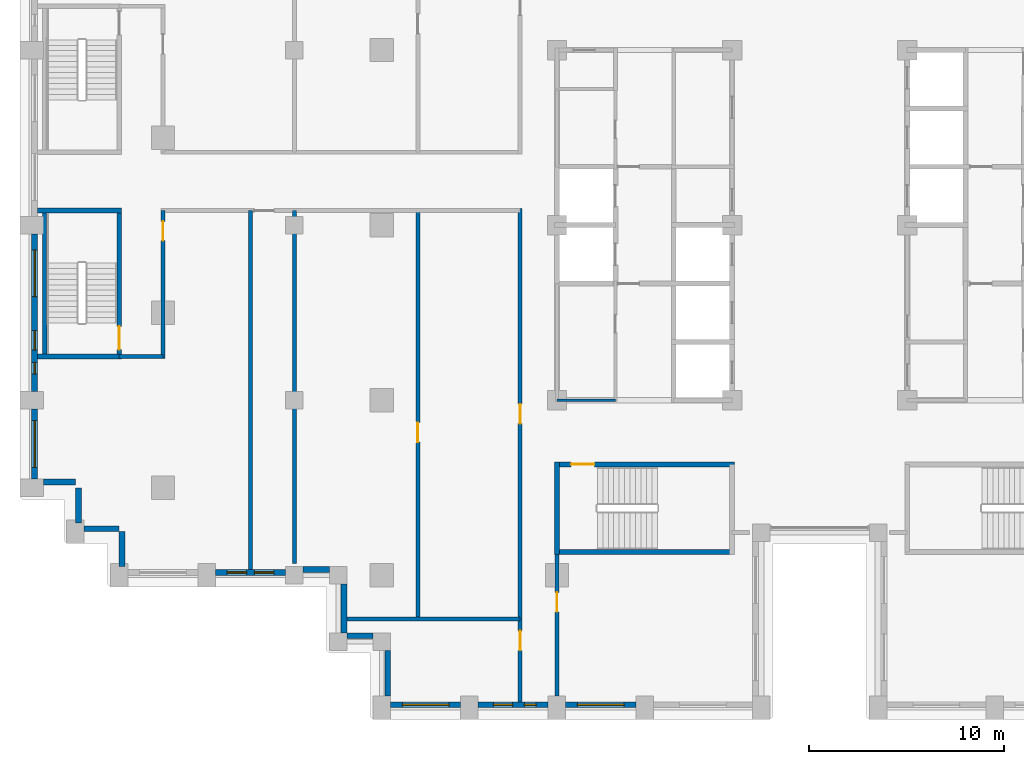
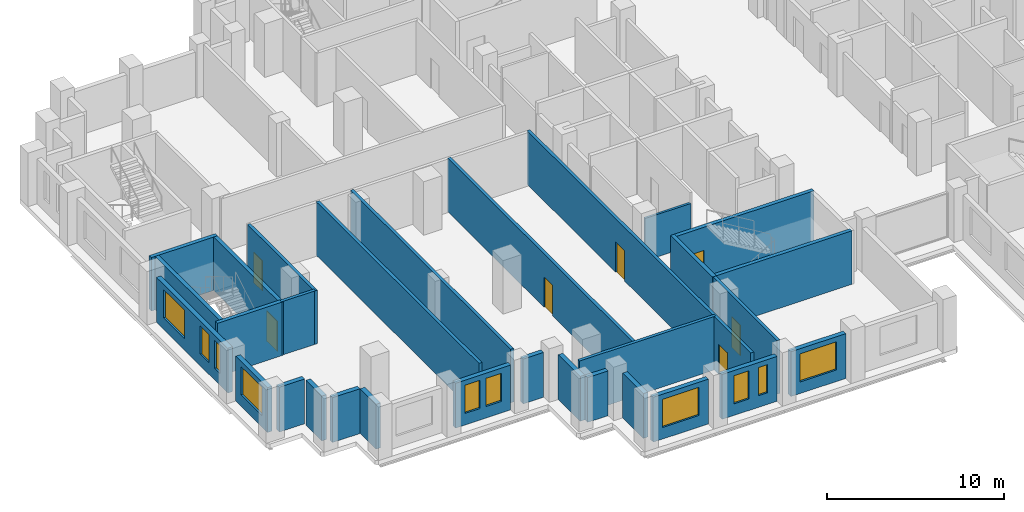
# One storey, part 6 of 16: 30 walls, 10 windows, 7 doors, 17 openings.
"""IFC4 building model written with IfcOpenShell, lengths in metres."""

from ifc_helpers import new_model, si_unit, direction, frame, frame_2d, origin, place, context, subcontext, project, spatial, rectangle, extrude, material, layer, layer_set, type_object, element, fill, save


model = new_model("IFC4")

# Units and contexts
model_context = context("Model", 3, precision=1e-05, world=origin(), true_north=direction((0.0, 1.0)))
body_context = subcontext(model_context, "Body", "Model", "MODEL_VIEW")
ifc_project = project(units=[si_unit("LENGTHUNIT", "METRE"), si_unit("AREAUNIT", "SQUARE_METRE"), si_unit("VOLUMEUNIT", "CUBIC_METRE"), si_unit("PLANEANGLEUNIT", "RADIAN"), si_unit("MASSUNIT", "GRAM", prefix="KILO")], contexts=[model_context])

# Site, building, storey
site_placement = place(None, origin())
site = spatial("IfcSite", under=ifc_project, at=site_placement, CompositionType="ELEMENT")
building_placement = place(site_placement, origin())
building = spatial("IfcBuilding", under=site, at=building_placement, Name="Corbelhall Arena Tower", CompositionType="ELEMENT")
storey_placement = place(building_placement, frame((0.0, 0.0, 104.0)))
storey = spatial("IfcBuildingStorey", under=building, at=storey_placement, Name="L18", CompositionType="ELEMENT", Elevation=104.0)

# Walls
ifc_material_1 = material(Name="Precast concrete C40/50 with granite facing", Category="masonry")
ifc_layer_1 = layer(ifc_material_1, 0.300048828125)
ifc_layer_set_1 = layer_set([ifc_layer_1], Name="EV-IW1 Infill panel 300")
wall_type_1 = type_object("IfcWallType", Name="EV-IW1 Infill panel 300", PredefinedType="SOLIDWALL", material=ifc_layer_set_1)
wall_1_placement = place(storey_placement, frame((-39.89990234375, -13.199951171875, 0.0), z_axis=(0.0, 0.0, 1.0), x_axis=(1.0, 0.0, 0.0)))
element("IfcWall", 1, at=wall_1_placement, inside=storey, type_object=wall_type_1, Name="Infill panel IW1", PredefinedType="SOLIDWALL", context=body_context, shape_type="SweptSolid", body=[
    extrude(rectangle(XDim=1.64990234375, YDim=0.300048828125, at=frame_2d((0.824951171875, 0.0))), origin(), (0.0, 0.0, 1.0), 3.10009765625),
])
for number, where, z_axis, x_axis, name in (
    (2, (-38.10009765625, -15.300048828125, 0.0), (0.0, 0.0, 1.0), (0.0, 1.0, 0.0), "Infill panel IW1"),
    (3, (-37.800048828125, -15.60009765625, 0.0), (0.0, 0.0, 1.0), (1.0, 0.0, 0.0), "Infill panel IW1"),
    (4, (-35.85009765625, -17.550048828125, 0.0), (0.0, 0.0, 1.0), (0.0, 1.0, 0.0), "Infill panel IW1"),
):
    element("IfcWall", number, at=place(storey_placement, frame(where, z_axis=z_axis, x_axis=x_axis)), inside=storey, type_object=wall_type_1, Name=name, PredefinedType="SOLIDWALL", context=body_context, shape_type="SweptSolid", body=[
        extrude(rectangle(XDim=1.800048828125, YDim=0.300048828125, at=frame_2d((0.89990234375, 0.0))), origin(), (0.0, 0.0, 1.0), 3.10009765625),
    ])

# Wall, openings, windows
wall_2_placement = place(storey_placement, frame((-40.35009765625, -0.449951171875, 0.0), z_axis=(0.0, 0.0, 1.0), x_axis=(0.0, -1.0, 0.0)))
wall_2 = element("IfcWall", 5, at=wall_2_placement, inside=storey, type_object=wall_type_1, Name="Infill panel IW1", PredefinedType="SOLIDWALL", context=body_context, shape_type="SweptSolid", body=[
    extrude(rectangle(XDim=8.10009765625, YDim=0.300048828125, at=frame_2d((4.050048828125, 0.0))), origin(), (0.0, 0.0, 1.0), 3.10009765625),
])
opening_1_placement = place(wall_2_placement, frame((0.824951171875, 0.0, 0.800048828125)))
opening_1 = element("IfcOpeningElement", 6, at=opening_1_placement, cuts=wall_2, Name="Opening WN1", PredefinedType="OPENING", context=body_context, shape_type="SweptSolid", body=[
    extrude(rectangle(XDim=2.39990234375, YDim=1.949951171875, at=frame_2d((1.199951171875, 0.97509765625))), frame((0.0, 0.14990234375, 0.0), z_axis=(0.0, -1.0, 0.0), x_axis=(1.0, 0.0, 0.0)), (0.0, 0.0, 1.0), 0.300048828125),
])
opening_2_placement = place(wall_2_placement, frame((4.97509765625, 0.0, 0.800048828125)))
opening_2 = element("IfcOpeningElement", 7, at=opening_2_placement, cuts=wall_2, Name="Opening WN6", PredefinedType="OPENING", context=body_context, shape_type="SweptSolid", body=[
    extrude(rectangle(XDim=1.0, YDim=1.949951171875, at=frame_2d((0.5, 0.97509765625))), frame((0.0, 0.14990234375, 0.0), z_axis=(0.0, -1.0, 0.0), x_axis=(1.0, 0.0, 0.0)), (0.0, 0.0, 1.0), 0.300048828125),
])
opening_3_placement = place(wall_2_placement, frame((6.60009765625, 0.0, 0.800048828125)))
opening_3 = element("IfcOpeningElement", 8, at=opening_3_placement, cuts=wall_2, Name="Opening WN5", PredefinedType="OPENING", context=body_context, shape_type="SweptSolid", body=[
    extrude(rectangle(XDim=0.60009765625, YDim=1.949951171875, at=frame_2d((0.300048828125, 0.97509765625))), frame((0.0, 0.14990234375, 0.0), z_axis=(0.0, -1.0, 0.0), x_axis=(1.0, 0.0, 0.0)), (0.0, 0.0, 1.0), 0.300048828125),
])
ifc_material_2 = material(Name="Aluminium black anodised", Category="aluminium")
window_type_1 = type_object("IfcWindowType", Name="EV-WN1 Office window", PartitioningType="SINGLE_PANEL", PredefinedType="WINDOW", material=ifc_material_2)
window_1_placement = place(opening_1_placement, origin())
window_1 = element("IfcWindow", 9, at=window_1_placement, inside=storey, type_object=window_type_1, Name="Window WN1", OverallHeight=1.949951171875, OverallWidth=2.39990234375, PartitioningType="SINGLE_PANEL", PredefinedType="WINDOW", context=body_context, shape_type="SweptSolid", body=[
    extrude(rectangle(XDim=2.39990234375, YDim=1.949951171875, at=frame_2d((1.199951171875, 0.97509765625))), frame((0.0, 0.030029296875, 0.0), z_axis=(0.0, -1.0, 0.0), x_axis=(1.0, 0.0, 0.0)), (0.0, 0.0, 1.0), 0.06005859375),
])
fill(opening_1, window_1)
window_type_2 = type_object("IfcWindowType", Name="EV-WN5 Office window 600", PartitioningType="SINGLE_PANEL", PredefinedType="WINDOW", material=ifc_material_2)
window_2_placement = place(opening_3_placement, origin())
window_2 = element("IfcWindow", 10, at=window_2_placement, inside=storey, type_object=window_type_2, Name="Window WN5", OverallHeight=1.949951171875, OverallWidth=0.60009765625, PartitioningType="SINGLE_PANEL", PredefinedType="WINDOW", context=body_context, shape_type="SweptSolid", body=[
    extrude(rectangle(XDim=0.60009765625, YDim=1.949951171875, at=frame_2d((0.300048828125, 0.97509765625))), frame((0.0, 0.030029296875, 0.0), z_axis=(0.0, -1.0, 0.0), x_axis=(1.0, 0.0, 0.0)), (0.0, 0.0, 1.0), 0.06005859375),
])
fill(opening_3, window_2)
window_type_3 = type_object("IfcWindowType", Name="EV-WN6 Office window 1000", PartitioningType="SINGLE_PANEL", PredefinedType="WINDOW", material=ifc_material_2)
window_3_placement = place(opening_2_placement, origin())
window_3 = element("IfcWindow", 11, at=window_3_placement, inside=storey, type_object=window_type_3, Name="Window WN6", OverallHeight=1.949951171875, OverallWidth=1.0, PartitioningType="SINGLE_PANEL", PredefinedType="WINDOW", context=body_context, shape_type="SweptSolid", body=[
    extrude(rectangle(XDim=1.0, YDim=1.949951171875, at=frame_2d((0.5, 0.97509765625))), frame((0.0, 0.030029296875, 0.0), z_axis=(0.0, -1.0, 0.0), x_axis=(1.0, 0.0, 0.0)), (0.0, 0.0, 1.0), 0.06005859375),
])
fill(opening_2, window_3)

# Wall, opening, window
wall_3_placement = place(storey_placement, frame((-40.35009765625, -9.449951171875, 0.0), z_axis=(0.0, 0.0, 1.0), x_axis=(0.0, -1.0, 0.0)))
wall_3 = element("IfcWall", 12, at=wall_3_placement, inside=storey, type_object=wall_type_1, Name="Infill panel IW1", PredefinedType="SOLIDWALL", context=body_context, shape_type="SweptSolid", body=[
    extrude(rectangle(XDim=3.60009765625, YDim=0.300048828125, at=frame_2d((1.800048828125, 0.0))), origin(), (0.0, 0.0, 1.0), 3.10009765625),
])
opening_4_placement = place(wall_3_placement, frame((0.60009765625, 0.0, 0.800048828125)))
opening_4 = element("IfcOpeningElement", 13, at=opening_4_placement, cuts=wall_3, Name="Opening WN1", PredefinedType="OPENING", context=body_context, shape_type="SweptSolid", body=[
    extrude(rectangle(XDim=2.39990234375, YDim=1.949951171875, at=frame_2d((1.199951171875, 0.97509765625))), frame((0.0, 0.14990234375, 0.0), z_axis=(0.0, -1.0, 0.0), x_axis=(1.0, 0.0, 0.0)), (0.0, 0.0, 1.0), 0.300048828125),
])
window_4_placement = place(opening_4_placement, origin())
window_4 = element("IfcWindow", 14, at=window_4_placement, inside=storey, type_object=window_type_1, Name="Window WN1", OverallHeight=1.949951171875, OverallWidth=2.39990234375, PartitioningType="SINGLE_PANEL", PredefinedType="WINDOW", context=body_context, shape_type="SweptSolid", body=[
    extrude(rectangle(XDim=2.39990234375, YDim=1.949951171875, at=frame_2d((1.199951171875, 0.97509765625))), frame((0.0, 0.030029296875, 0.0), z_axis=(0.0, -1.0, 0.0), x_axis=(1.0, 0.0, 0.0)), (0.0, 0.0, 1.0), 0.06005859375),
])
fill(opening_4, window_4)

# Wall, openings, windows
wall_4_placement = place(storey_placement, frame((-31.050048828125, -17.85009765625, 0.0), z_axis=(0.0, 0.0, 1.0), x_axis=(1.0, 0.0, 0.0)))
wall_4 = element("IfcWall", 15, at=wall_4_placement, inside=storey, type_object=wall_type_1, Name="Infill panel IW1", PredefinedType="SOLIDWALL", context=body_context, shape_type="SweptSolid", body=[
    extrude(rectangle(XDim=3.60009765625, YDim=0.300048828125, at=frame_2d((1.800048828125, 0.0))), origin(), (0.0, 0.0, 1.0), 3.10009765625),
])
opening_5_placement = place(wall_4_placement, frame((0.60009765625, 0.0, 0.800048828125)))
opening_5 = element("IfcOpeningElement", 16, at=opening_5_placement, cuts=wall_4, Name="Opening WN6", PredefinedType="OPENING", context=body_context, shape_type="SweptSolid", body=[
    extrude(rectangle(XDim=1.0, YDim=1.949951171875, at=frame_2d((0.5, 0.97509765625))), frame((0.0, 0.14990234375, 0.0), z_axis=(0.0, -1.0, 0.0), x_axis=(1.0, 0.0, 0.0)), (0.0, 0.0, 1.0), 0.300048828125),
])
opening_6_placement = place(wall_4_placement, frame((2.0, 0.0, 0.800048828125)))
opening_6 = element("IfcOpeningElement", 17, at=opening_6_placement, cuts=wall_4, Name="Opening WN6", PredefinedType="OPENING", context=body_context, shape_type="SweptSolid", body=[
    extrude(rectangle(XDim=1.0, YDim=1.949951171875, at=frame_2d((0.5, 0.97509765625))), frame((0.0, 0.14990234375, 0.0), z_axis=(0.0, -1.0, 0.0), x_axis=(1.0, 0.0, 0.0)), (0.0, 0.0, 1.0), 0.300048828125),
])
window_5_placement = place(opening_5_placement, origin())
window_5 = element("IfcWindow", 18, at=window_5_placement, inside=storey, type_object=window_type_3, Name="Window WN6", OverallHeight=1.949951171875, OverallWidth=1.0, PartitioningType="SINGLE_PANEL", PredefinedType="WINDOW", context=body_context, shape_type="SweptSolid", body=[
    extrude(rectangle(XDim=1.0, YDim=1.949951171875, at=frame_2d((0.5, 0.97509765625))), frame((0.0, 0.030029296875, 0.0), z_axis=(0.0, -1.0, 0.0), x_axis=(1.0, 0.0, 0.0)), (0.0, 0.0, 1.0), 0.06005859375),
])
fill(opening_5, window_5)
window_6_placement = place(opening_6_placement, origin())
window_6 = element("IfcWindow", 19, at=window_6_placement, inside=storey, type_object=window_type_3, Name="Window WN6", OverallHeight=1.949951171875, OverallWidth=1.0, PartitioningType="SINGLE_PANEL", PredefinedType="WINDOW", context=body_context, shape_type="SweptSolid", body=[
    extrude(rectangle(XDim=1.0, YDim=1.949951171875, at=frame_2d((0.5, 0.97509765625))), frame((0.0, 0.030029296875, 0.0), z_axis=(0.0, -1.0, 0.0), x_axis=(1.0, 0.0, 0.0)), (0.0, 0.0, 1.0), 0.06005859375),
])
fill(opening_6, window_6)

# Walls
wall_5_placement = place(storey_placement, frame((-26.550048828125, -17.699951171875, 0.0), z_axis=(0.0, 0.0, 1.0), x_axis=(1.0, 0.0, 0.0)))
element("IfcWall", 20, at=wall_5_placement, inside=storey, type_object=wall_type_1, Name="Infill panel IW1", PredefinedType="SOLIDWALL", context=body_context, shape_type="SweptSolid", body=[
    extrude(rectangle(XDim=1.35009765625, YDim=0.300048828125, at=frame_2d((0.675048828125, 0.0))), origin(), (0.0, 0.0, 1.0), 3.10009765625),
])
wall_6_placement = place(storey_placement, frame((-24.449951171875, -18.449951171875, 0.0), z_axis=(0.0, 0.0, 1.0), x_axis=(0.0, -1.0, 0.0)))
element("IfcWall", 21, at=wall_6_placement, inside=storey, type_object=wall_type_1, Name="Infill panel IW1", PredefinedType="SOLIDWALL", context=body_context, shape_type="SweptSolid", body=[
    extrude(rectangle(XDim=2.5, YDim=0.300048828125, at=frame_2d((1.25, 0.0))), origin(), (0.0, 0.0, 1.0), 3.10009765625),
])
wall_7_placement = place(storey_placement, frame((-24.300048828125, -21.10009765625, 0.0), z_axis=(0.0, 0.0, 1.0), x_axis=(1.0, 0.0, 0.0)))
element("IfcWall", 22, at=wall_7_placement, inside=storey, type_object=wall_type_1, Name="Infill panel IW1", PredefinedType="SOLIDWALL", context=body_context, shape_type="SweptSolid", body=[
    extrude(rectangle(XDim=1.35009765625, YDim=0.300048828125, at=frame_2d((0.675048828125, 0.0))), origin(), (0.0, 0.0, 1.0), 3.10009765625),
])
wall_8_placement = place(storey_placement, frame((-22.199951171875, -21.85009765625, 0.0), z_axis=(0.0, 0.0, 1.0), x_axis=(0.0, -1.0, 0.0)))
element("IfcWall", 23, at=wall_8_placement, inside=storey, type_object=wall_type_1, Name="Infill panel IW1", PredefinedType="SOLIDWALL", context=body_context, shape_type="SweptSolid", body=[
    extrude(rectangle(XDim=2.349853515625, YDim=0.300048828125, at=frame_2d((1.1748046875, 0.0))), origin(), (0.0, 0.0, 1.0), 3.10009765625),
])

# Wall, opening, window
wall_9_placement = place(storey_placement, frame((-22.050048828125, -24.64990234375, 0.0), z_axis=(0.0, 0.0, 1.0), x_axis=(1.0, 0.0, 0.0)))
wall_9 = element("IfcWall", 24, at=wall_9_placement, inside=storey, type_object=wall_type_1, Name="Infill panel IW1", PredefinedType="SOLIDWALL", context=body_context, shape_type="SweptSolid", body=[
    extrude(rectangle(XDim=3.60009765625, YDim=0.300048828125, at=frame_2d((1.800048828125, 0.0))), origin(), (0.0, 0.0, 1.0), 3.10009765625),
])
opening_7_placement = place(wall_9_placement, frame((0.60009765625, 0.0, 0.800048828125)))
opening_7 = element("IfcOpeningElement", 25, at=opening_7_placement, cuts=wall_9, Name="Opening WN1", PredefinedType="OPENING", context=body_context, shape_type="SweptSolid", body=[
    extrude(rectangle(XDim=2.39990234375, YDim=1.949951171875, at=frame_2d((1.199951171875, 0.97509765625))), frame((0.0, 0.14990234375, 0.0), z_axis=(0.0, -1.0, 0.0), x_axis=(1.0, 0.0, 0.0)), (0.0, 0.0, 1.0), 0.300048828125),
])
window_7_placement = place(opening_7_placement, origin())
window_7 = element("IfcWindow", 26, at=window_7_placement, inside=storey, type_object=window_type_1, Name="Window WN1", OverallHeight=1.949951171875, OverallWidth=2.39990234375, PartitioningType="SINGLE_PANEL", PredefinedType="WINDOW", context=body_context, shape_type="SweptSolid", body=[
    extrude(rectangle(XDim=2.39990234375, YDim=1.949951171875, at=frame_2d((1.199951171875, 0.97509765625))), frame((0.0, 0.030029296875, 0.0), z_axis=(0.0, -1.0, 0.0), x_axis=(1.0, 0.0, 0.0)), (0.0, 0.0, 1.0), 0.06005859375),
])
fill(opening_7, window_7)

# Wall, openings, windows
wall_10_placement = place(storey_placement, frame((-17.550048828125, -24.64990234375, 0.0), z_axis=(0.0, 0.0, 1.0), x_axis=(1.0, 0.0, 0.0)))
wall_10 = element("IfcWall", 27, at=wall_10_placement, inside=storey, type_object=wall_type_1, Name="Infill panel IW1", PredefinedType="SOLIDWALL", context=body_context, shape_type="SweptSolid", body=[
    extrude(rectangle(XDim=3.60009765625, YDim=0.300048828125, at=frame_2d((1.800048828125, 0.0))), origin(), (0.0, 0.0, 1.0), 3.10009765625),
])
opening_8_placement = place(wall_10_placement, frame((0.77490234375, 0.0, 0.800048828125)))
opening_8 = element("IfcOpeningElement", 28, at=opening_8_placement, cuts=wall_10, Name="Opening WN6", PredefinedType="OPENING", context=body_context, shape_type="SweptSolid", body=[
    extrude(rectangle(XDim=1.0, YDim=1.949951171875, at=frame_2d((0.5, 0.97509765625))), frame((0.0, 0.14990234375, 0.0), z_axis=(0.0, -1.0, 0.0), x_axis=(1.0, 0.0, 0.0)), (0.0, 0.0, 1.0), 0.300048828125),
])
opening_9_placement = place(wall_10_placement, frame((2.375, 0.0, 0.800048828125)))
opening_9 = element("IfcOpeningElement", 29, at=opening_9_placement, cuts=wall_10, Name="Opening WN5", PredefinedType="OPENING", context=body_context, shape_type="SweptSolid", body=[
    extrude(rectangle(XDim=0.60009765625, YDim=1.949951171875, at=frame_2d((0.300048828125, 0.97509765625))), frame((0.0, 0.14990234375, 0.0), z_axis=(0.0, -1.0, 0.0), x_axis=(1.0, 0.0, 0.0)), (0.0, 0.0, 1.0), 0.300048828125),
])
window_8_placement = place(opening_9_placement, origin())
window_8 = element("IfcWindow", 30, at=window_8_placement, inside=storey, type_object=window_type_2, Name="Window WN5", OverallHeight=1.949951171875, OverallWidth=0.60009765625, PartitioningType="SINGLE_PANEL", PredefinedType="WINDOW", context=body_context, shape_type="SweptSolid", body=[
    extrude(rectangle(XDim=0.60009765625, YDim=1.949951171875, at=frame_2d((0.300048828125, 0.97509765625))), frame((0.0, 0.030029296875, 0.0), z_axis=(0.0, -1.0, 0.0), x_axis=(1.0, 0.0, 0.0)), (0.0, 0.0, 1.0), 0.06005859375),
])
fill(opening_9, window_8)
window_9_placement = place(opening_8_placement, origin())
window_9 = element("IfcWindow", 31, at=window_9_placement, inside=storey, type_object=window_type_3, Name="Window WN6", OverallHeight=1.949951171875, OverallWidth=1.0, PartitioningType="SINGLE_PANEL", PredefinedType="WINDOW", context=body_context, shape_type="SweptSolid", body=[
    extrude(rectangle(XDim=1.0, YDim=1.949951171875, at=frame_2d((0.5, 0.97509765625))), frame((0.0, 0.030029296875, 0.0), z_axis=(0.0, -1.0, 0.0), x_axis=(1.0, 0.0, 0.0)), (0.0, 0.0, 1.0), 0.06005859375),
])
fill(opening_8, window_9)

# Wall, opening, window
wall_11_placement = place(storey_placement, frame((-13.050048828125, -24.64990234375, 0.0), z_axis=(0.0, 0.0, 1.0), x_axis=(1.0, 0.0, 0.0)))
wall_11 = element("IfcWall", 32, at=wall_11_placement, inside=storey, type_object=wall_type_1, Name="Infill panel IW1", PredefinedType="SOLIDWALL", context=body_context, shape_type="SweptSolid", body=[
    extrude(rectangle(XDim=3.60009765625, YDim=0.300048828125, at=frame_2d((1.800048828125, 0.0))), origin(), (0.0, 0.0, 1.0), 3.10009765625),
])
opening_10_placement = place(wall_11_placement, frame((0.60009765625, 0.0, 0.800048828125)))
opening_10 = element("IfcOpeningElement", 33, at=opening_10_placement, cuts=wall_11, Name="Opening WN1", PredefinedType="OPENING", context=body_context, shape_type="SweptSolid", body=[
    extrude(rectangle(XDim=2.39990234375, YDim=1.949951171875, at=frame_2d((1.199951171875, 0.97509765625))), frame((0.0, 0.14990234375, 0.0), z_axis=(0.0, -1.0, 0.0), x_axis=(1.0, 0.0, 0.0)), (0.0, 0.0, 1.0), 0.300048828125),
])
window_10_placement = place(opening_10_placement, origin())
window_10 = element("IfcWindow", 34, at=window_10_placement, inside=storey, type_object=window_type_1, Name="Window WN1", OverallHeight=1.949951171875, OverallWidth=2.39990234375, PartitioningType="SINGLE_PANEL", PredefinedType="WINDOW", context=body_context, shape_type="SweptSolid", body=[
    extrude(rectangle(XDim=2.39990234375, YDim=1.949951171875, at=frame_2d((1.199951171875, 0.97509765625))), frame((0.0, 0.030029296875, 0.0), z_axis=(0.0, -1.0, 0.0), x_axis=(1.0, 0.0, 0.0)), (0.0, 0.0, 1.0), 0.06005859375),
])
fill(opening_10, window_10)

# Wall
ifc_material_3 = material(Name="Gypsum board on steel stud, acoustic", Category="steel")
ifc_layer_2 = layer(ifc_material_3, 0.199951171875)
ifc_layer_set_2 = layer_set([ifc_layer_2], Name="IN-W-DM200")
wall_type_2 = type_object("IfcWallType", Name="IN-W-DM200", PredefinedType="PARTITIONING", material=ifc_layer_set_2)
wall_12_placement = place(storey_placement, frame((-33.75, -6.75, 0.0), z_axis=(0.0, 0.0, 1.0), x_axis=(-1.0, 0.0, 0.0)))
element("IfcWall", 35, at=wall_12_placement, inside=storey, type_object=wall_type_2, Name="Partition 003", PredefinedType="PARTITIONING", context=body_context, shape_type="SweptSolid", body=[
    extrude(rectangle(XDim=2.25, YDim=0.199951171875, at=frame_2d((1.125, 0.0))), origin(), (0.0, 0.0, 1.0), 3.699951171875),
])

# Wall, opening, door
wall_13_placement = place(storey_placement, frame((-33.75, 0.75, 0.0), z_axis=(0.0, 0.0, 1.0), x_axis=(0.0, -1.0, 0.0)))
wall_13 = element("IfcWall", 36, at=wall_13_placement, inside=storey, type_object=wall_type_2, Name="Partition 004", PredefinedType="PARTITIONING", context=body_context, shape_type="SweptSolid", body=[
    extrude(rectangle(XDim=7.60009765625, YDim=0.199951171875, at=frame_2d((3.800048828125, 0.0))), origin(), (0.0, 0.0, 1.0), 3.699951171875),
])
opening_11_placement = place(wall_13_placement, frame((0.550048828125, 0.0, 0.0)))
opening_11 = element("IfcOpeningElement", 37, at=opening_11_placement, cuts=wall_13, Name="Opening 04040", PredefinedType="OPENING", context=body_context, shape_type="SweptSolid", body=[
    extrude(rectangle(XDim=1.0, YDim=2.10009765625, at=frame_2d((0.5, 1.050048828125))), frame((0.0, 0.10009765625, 0.0), z_axis=(0.0, -1.0, 0.0), x_axis=(1.0, 0.0, 0.0)), (0.0, 0.0, 1.0), 0.199951171875),
])
ifc_material_4 = material(Name="Steel door set", Category="steel")
door_type_1 = type_object("IfcDoorType", Name="IN-D-SW100", OperationType="NOTDEFINED", PredefinedType="DOOR", material=ifc_material_4)
door_1_placement = place(opening_11_placement, origin())
door_1 = element("IfcDoor", 38, at=door_1_placement, inside=storey, type_object=door_type_1, Name="Door 040", OperationType="SINGLE_SWING_LEFT", OverallHeight=2.10009765625, OverallWidth=1.0, PredefinedType="DOOR", context=body_context, shape_type="SweptSolid", body=[
    extrude(rectangle(XDim=1.0, YDim=2.10009765625, at=frame_2d((0.5, 1.050048828125))), frame((0.0, 0.02490234375, 0.0), z_axis=(0.0, -1.0, 0.0), x_axis=(1.0, 0.0, 0.0)), (0.0, 0.0, 1.0), 0.050048828125),
])
fill(opening_11, door_1)

# Walls
wall_14_placement = place(storey_placement, frame((-29.25, 0.75, 0.0), z_axis=(0.0, 0.0, 1.0), x_axis=(0.0, -1.0, 0.0)))
element("IfcWall", 39, at=wall_14_placement, inside=storey, type_object=wall_type_2, Name="Partition 006", PredefinedType="PARTITIONING", context=body_context, shape_type="SweptSolid", body=[
    extrude(rectangle(XDim=18.449951171875, YDim=0.199951171875, at=frame_2d((9.22509765625, 0.0))), origin(), (0.0, 0.0, 1.0), 3.699951171875),
])
wall_15_placement = place(storey_placement, frame((-27.0, -17.39990234375, 0.0), z_axis=(0.0, 0.0, 1.0), x_axis=(0.0, 1.0, 0.0)))
element("IfcWall", 40, at=wall_15_placement, inside=storey, type_object=wall_type_2, Name="Partition 008", PredefinedType="PARTITIONING", context=body_context, shape_type="SweptSolid", body=[
    extrude(rectangle(XDim=18.14990234375, YDim=0.199951171875, at=frame_2d((9.074951171875, 0.0))), origin(), (0.0, 0.0, 1.0), 3.699951171875),
])
wall_16_placement = place(storey_placement, frame((-24.300048828125, -20.25, 0.0), z_axis=(0.0, 0.0, 1.0), x_axis=(1.0, 0.0, 0.0)))
element("IfcWall", 41, at=wall_16_placement, inside=storey, type_object=wall_type_2, Name="Partition 010", PredefinedType="PARTITIONING", context=body_context, shape_type="SweptSolid", body=[
    extrude(rectangle(XDim=8.900146484375, YDim=0.199951171875, at=frame_2d((4.4501953125, 0.0))), origin(), (0.0, 0.0, 1.0), 3.699951171875),
])

# Wall, opening, door
wall_17_placement = place(storey_placement, frame((-20.64990234375, -20.25, 0.0), z_axis=(0.0, 0.0, 1.0), x_axis=(0.0, 1.0, 0.0)))
wall_17 = element("IfcWall", 42, at=wall_17_placement, inside=storey, type_object=wall_type_2, Name="Partition 012", PredefinedType="PARTITIONING", context=body_context, shape_type="SweptSolid", body=[
    extrude(rectangle(XDim=21.0, YDim=0.199951171875, at=frame_2d((10.5, 0.0))), origin(), (0.0, 0.0, 1.0), 3.699951171875),
])
opening_12_placement = place(wall_17_placement, frame((9.10009765625, 0.0, 0.0)))
opening_12 = element("IfcOpeningElement", 43, at=opening_12_placement, cuts=wall_17, Name="Opening 04031", PredefinedType="OPENING", context=body_context, shape_type="SweptSolid", body=[
    extrude(rectangle(XDim=1.0, YDim=2.10009765625, at=frame_2d((0.5, 1.050048828125))), frame((0.0, 0.10009765625, 0.0), z_axis=(0.0, -1.0, 0.0), x_axis=(1.0, 0.0, 0.0)), (0.0, 0.0, 1.0), 0.199951171875),
])
door_2_placement = place(opening_12_placement, origin())
door_2 = element("IfcDoor", 44, at=door_2_placement, inside=storey, type_object=door_type_1, Name="Door 031", OperationType="SINGLE_SWING_RIGHT", OverallHeight=2.10009765625, OverallWidth=1.0, PredefinedType="DOOR", context=body_context, shape_type="SweptSolid", body=[
    extrude(rectangle(XDim=1.0, YDim=2.10009765625, at=frame_2d((0.5, 1.050048828125))), frame((0.0, 0.02490234375, 0.0), z_axis=(0.0, -1.0, 0.0), x_axis=(1.0, 0.0, 0.0)), (0.0, 0.0, 1.0), 0.050048828125),
])
fill(opening_12, door_2)

# Wall, openings, doors
wall_18_placement = place(storey_placement, frame((-15.39990234375, -24.5, 0.0), z_axis=(0.0, 0.0, 1.0), x_axis=(0.0, 1.0, 0.0)))
wall_18 = element("IfcWall", 45, at=wall_18_placement, inside=storey, type_object=wall_type_2, Name="Partition 015", PredefinedType="PARTITIONING", context=body_context, shape_type="SweptSolid", body=[
    extrude(rectangle(XDim=25.35009765625, YDim=0.199951171875, at=frame_2d((12.675048828125, 0.0))), origin(), (0.0, 0.0, 1.0), 3.699951171875),
])
opening_13_placement = place(wall_18_placement, frame((2.64990234375, 0.0, 0.0)))
opening_13 = element("IfcOpeningElement", 46, at=opening_13_placement, cuts=wall_18, Name="Opening 04029", PredefinedType="OPENING", context=body_context, shape_type="SweptSolid", body=[
    extrude(rectangle(XDim=1.0, YDim=2.10009765625, at=frame_2d((0.5, 1.050048828125))), frame((0.0, 0.10009765625, 0.0), z_axis=(0.0, -1.0, 0.0), x_axis=(1.0, 0.0, 0.0)), (0.0, 0.0, 1.0), 0.199951171875),
])
opening_14_placement = place(wall_18_placement, frame((14.300048828125, 0.0, 0.0)))
opening_14 = element("IfcOpeningElement", 47, at=opening_14_placement, cuts=wall_18, Name="Opening 04030", PredefinedType="OPENING", context=body_context, shape_type="SweptSolid", body=[
    extrude(rectangle(XDim=1.0, YDim=2.10009765625, at=frame_2d((0.5, 1.050048828125))), frame((0.0, 0.10009765625, 0.0), z_axis=(0.0, -1.0, 0.0), x_axis=(1.0, 0.0, 0.0)), (0.0, 0.0, 1.0), 0.199951171875),
])
door_3_placement = place(opening_13_placement, origin())
door_3 = element("IfcDoor", 48, at=door_3_placement, inside=storey, type_object=door_type_1, Name="Door 029", OperationType="SINGLE_SWING_RIGHT", OverallHeight=2.10009765625, OverallWidth=1.0, PredefinedType="DOOR", context=body_context, shape_type="SweptSolid", body=[
    extrude(rectangle(XDim=1.0, YDim=2.10009765625, at=frame_2d((0.5, 1.050048828125))), frame((0.0, 0.02490234375, 0.0), z_axis=(0.0, -1.0, 0.0), x_axis=(1.0, 0.0, 0.0)), (0.0, 0.0, 1.0), 0.050048828125),
])
fill(opening_13, door_3)
door_4_placement = place(opening_14_placement, origin())
door_4 = element("IfcDoor", 49, at=door_4_placement, inside=storey, type_object=door_type_1, Name="Door 030", OperationType="SINGLE_SWING_LEFT", OverallHeight=2.10009765625, OverallWidth=1.0, PredefinedType="DOOR", context=body_context, shape_type="SweptSolid", body=[
    extrude(rectangle(XDim=1.0, YDim=2.10009765625, at=frame_2d((0.5, 1.050048828125))), frame((0.0, 0.02490234375, 0.0), z_axis=(0.0, -1.0, 0.0), x_axis=(1.0, 0.0, 0.0)), (0.0, 0.0, 1.0), 0.050048828125),
])
fill(opening_14, door_4)

# Wall, opening, door
wall_19_placement = place(storey_placement, frame((-13.5, -16.675048828125, 0.0), z_axis=(0.0, 0.0, 1.0), x_axis=(0.0, -1.0, 0.0)))
wall_19 = element("IfcWall", 50, at=wall_19_placement, inside=storey, type_object=wall_type_2, Name="Partition 018", PredefinedType="PARTITIONING", context=body_context, shape_type="SweptSolid", body=[
    extrude(rectangle(XDim=7.52490234375, YDim=0.199951171875, at=frame_2d((3.762451171875, 0.0))), origin(), (0.0, 0.0, 1.0), 3.699951171875),
])
opening_15_placement = place(wall_19_placement, frame((2.199951171875, 0.0, 0.0)))
opening_15 = element("IfcOpeningElement", 51, at=opening_15_placement, cuts=wall_19, Name="Opening 04025", PredefinedType="OPENING", context=body_context, shape_type="SweptSolid", body=[
    extrude(rectangle(XDim=1.0, YDim=2.10009765625, at=frame_2d((0.5, 1.050048828125))), frame((0.0, 0.10009765625, 0.0), z_axis=(0.0, -1.0, 0.0), x_axis=(1.0, 0.0, 0.0)), (0.0, 0.0, 1.0), 0.199951171875),
])
door_5_placement = place(opening_15_placement, origin())
door_5 = element("IfcDoor", 52, at=door_5_placement, inside=storey, type_object=door_type_1, Name="Door 025", OperationType="SINGLE_SWING_RIGHT", OverallHeight=2.10009765625, OverallWidth=1.0, PredefinedType="DOOR", context=body_context, shape_type="SweptSolid", body=[
    extrude(rectangle(XDim=1.0, YDim=2.10009765625, at=frame_2d((0.5, 1.050048828125))), frame((0.0, 0.02490234375, 0.0), z_axis=(0.0, -1.0, 0.0), x_axis=(1.0, 0.0, 0.0)), (0.0, 0.0, 1.0), 0.050048828125),
])
fill(opening_15, door_5)

# Wall
ifc_material_5 = material(Name="Concrete C40/50", Category="concrete")
ifc_layer_3 = layer(ifc_material_5, 0.25)
ifc_layer_set_3 = layer_set([ifc_layer_3], Name="IN-W-ST250")
wall_type_3 = type_object("IfcWallType", Name="IN-W-ST250", PredefinedType="SOLIDWALL", material=ifc_layer_set_3)
wall_20_placement = place(storey_placement, frame((-36.0, -6.75, 0.0), z_axis=(0.0, 0.0, 1.0), x_axis=(-1.0, 0.0, 0.0)))
element("IfcWall", 53, at=wall_20_placement, inside=storey, type_object=wall_type_3, Name="Shaft wall 083", PredefinedType="SOLIDWALL", context=body_context, shape_type="SweptSolid", body=[
    extrude(rectangle(XDim=4.199951171875, YDim=0.25, at=frame_2d((2.10009765625, 0.0))), origin(), (0.0, 0.0, 1.0), 3.699951171875),
])

# Wall, opening, door
wall_21_placement = place(storey_placement, frame((-36.0, 0.75, 0.0), z_axis=(0.0, 0.0, 1.0), x_axis=(0.0, -1.0, 0.0)))
wall_21 = element("IfcWall", 54, at=wall_21_placement, inside=storey, type_object=wall_type_3, Name="Shaft wall 084", PredefinedType="SOLIDWALL", context=body_context, shape_type="SweptSolid", body=[
    extrude(rectangle(XDim=7.625, YDim=0.25, at=frame_2d((3.8125, 0.0))), origin(), (0.0, 0.0, 1.0), 3.699951171875),
])
opening_16_placement = place(wall_21_placement, frame((5.949951171875, 0.0, 0.0)))
opening_16 = element("IfcOpeningElement", 55, at=opening_16_placement, cuts=wall_21, Name="Opening 04020", PredefinedType="OPENING", context=body_context, shape_type="SweptSolid", body=[
    extrude(rectangle(XDim=1.199951171875, YDim=2.10009765625, at=frame_2d((0.60009765625, 1.050048828125))), frame((0.0, 0.125, 0.0), z_axis=(0.0, -1.0, 0.0), x_axis=(1.0, 0.0, 0.0)), (0.0, 0.0, 1.0), 0.25),
])
door_type_2 = type_object("IfcDoorType", Name="IN-D-ST120", OperationType="NOTDEFINED", PredefinedType="DOOR", material=ifc_material_4)
door_6_placement = place(opening_16_placement, origin())
door_6 = element("IfcDoor", 56, at=door_6_placement, inside=storey, type_object=door_type_2, Name="Door 020", OperationType="SINGLE_SWING_LEFT", OverallHeight=2.10009765625, OverallWidth=1.199951171875, PredefinedType="DOOR", context=body_context, shape_type="SweptSolid", body=[
    extrude(rectangle(XDim=1.199951171875, YDim=2.10009765625, at=frame_2d((0.60009765625, 1.050048828125))), frame((0.0, 0.02490234375, 0.0), z_axis=(0.0, -1.0, 0.0), x_axis=(1.0, 0.0, 0.0)), (0.0, 0.0, 1.0), 0.050048828125),
])
fill(opening_16, door_6)

# Walls
wall_22_placement = place(storey_placement, frame((-35.875, 0.75, 0.0), z_axis=(0.0, 0.0, 1.0), x_axis=(-1.0, 0.0, 0.0)))
element("IfcWall", 57, at=wall_22_placement, inside=storey, type_object=wall_type_3, Name="Shaft wall 086", PredefinedType="SOLIDWALL", context=body_context, shape_type="SweptSolid", body=[
    extrude(rectangle(XDim=4.324951171875, YDim=0.25, at=frame_2d((2.16259765625, 0.0))), origin(), (0.0, 0.0, 1.0), 3.699951171875),
])
wall_23_placement = place(storey_placement, frame((-13.5, -12.175048828125, 0.0), z_axis=(0.0, 0.0, 1.0), x_axis=(0.0, -1.0, 0.0)))
element("IfcWall", 58, at=wall_23_placement, inside=storey, type_object=wall_type_3, Name="Shaft wall 087", PredefinedType="SOLIDWALL", context=body_context, shape_type="SweptSolid", body=[
    extrude(rectangle(XDim=4.75, YDim=0.25, at=frame_2d((2.375, 0.0))), origin(), (0.0, 0.0, 1.0), 3.699951171875),
])
wall_24_placement = place(storey_placement, frame((-4.5, -16.800048828125, 0.0), z_axis=(0.0, 0.0, 1.0), x_axis=(-1.0, 0.0, 0.0)))
element("IfcWall", 59, at=wall_24_placement, inside=storey, type_object=wall_type_3, Name="Shaft wall 091", PredefinedType="SOLIDWALL", context=body_context, shape_type="SweptSolid", body=[
    extrude(rectangle(XDim=9.0, YDim=0.25, at=frame_2d((4.5, 0.0))), origin(), (0.0, 0.0, 1.0), 3.699951171875),
])

# Wall, opening, door
wall_25_placement = place(storey_placement, frame((-4.375, -12.300048828125, 0.0), z_axis=(0.0, 0.0, 1.0), x_axis=(-1.0, 0.0, 0.0)))
wall_25 = element("IfcWall", 60, at=wall_25_placement, inside=storey, type_object=wall_type_3, Name="Shaft wall 094", PredefinedType="SOLIDWALL", context=body_context, shape_type="SweptSolid", body=[
    extrude(rectangle(XDim=9.125, YDim=0.25, at=frame_2d((4.5625, 0.0))), origin(), (0.0, 0.0, 1.0), 3.699951171875),
])
opening_17_placement = place(wall_25_placement, frame((7.199951171875, 0.0, 0.0)))
opening_17 = element("IfcOpeningElement", 61, at=opening_17_placement, cuts=wall_25, Name="Opening 04016", PredefinedType="OPENING", context=body_context, shape_type="SweptSolid", body=[
    extrude(rectangle(XDim=1.199951171875, YDim=2.10009765625, at=frame_2d((0.60009765625, 1.050048828125))), frame((0.0, 0.125, 0.0), z_axis=(0.0, -1.0, 0.0), x_axis=(1.0, 0.0, 0.0)), (0.0, 0.0, 1.0), 0.25),
])
door_7_placement = place(opening_17_placement, origin())
door_7 = element("IfcDoor", 62, at=door_7_placement, inside=storey, type_object=door_type_2, Name="Door 016", OperationType="SINGLE_SWING_LEFT", OverallHeight=2.10009765625, OverallWidth=1.199951171875, PredefinedType="DOOR", context=body_context, shape_type="SweptSolid", body=[
    extrude(rectangle(XDim=1.199951171875, YDim=2.10009765625, at=frame_2d((0.60009765625, 1.050048828125))), frame((0.0, 0.02490234375, 0.0), z_axis=(0.0, -1.0, 0.0), x_axis=(1.0, 0.0, 0.0)), (0.0, 0.0, 1.0), 0.050048828125),
])
fill(opening_17, door_7)

# Walls
wall_26_placement = place(storey_placement, frame((-39.824951171875, -6.625, 0.0), z_axis=(0.0, 0.0, 1.0), x_axis=(0.0, 1.0, 0.0)))
element("IfcWall", 63, at=wall_26_placement, inside=storey, type_object=wall_type_3, Name="Shaft wall SC2 facade side", PredefinedType="SOLIDWALL", context=body_context, shape_type="SweptSolid", body=[
    extrude(rectangle(XDim=7.25, YDim=0.25, at=frame_2d((3.625, 0.0))), origin(), (0.0, 0.0, 1.0), 3.699951171875),
])
ifc_material_6 = material(Name="Gypsum board on steel stud, moisture resistant", Category="steel")
ifc_layer_4 = layer(ifc_material_6, 0.14990234375)
ifc_layer_set_4 = layer_set([ifc_layer_4], Name="IN-W-WC150 under beam 762 mm")
wall_type_4 = type_object("IfcWallType", Name="IN-W-WC150 under beam 762 mm", PredefinedType="PARTITIONING", material=ifc_layer_set_4)
wall_27_placement = place(storey_placement, frame((-10.5, -9.0, 0.0), z_axis=(0.0, 0.0, 1.0), x_axis=(-1.0, 0.0, 0.0)))
element("IfcWall", 64, at=wall_27_placement, inside=storey, type_object=wall_type_4, Name="Partition 113", PredefinedType="PARTITIONING", context=body_context, shape_type="SweptSolid", body=[
    extrude(rectangle(XDim=3.0, YDim=0.14990234375, at=frame_2d((1.5, 0.0))), origin(), (0.0, 0.0, 1.0), 2.93798828125),
])

save(model, "model.ifc")
